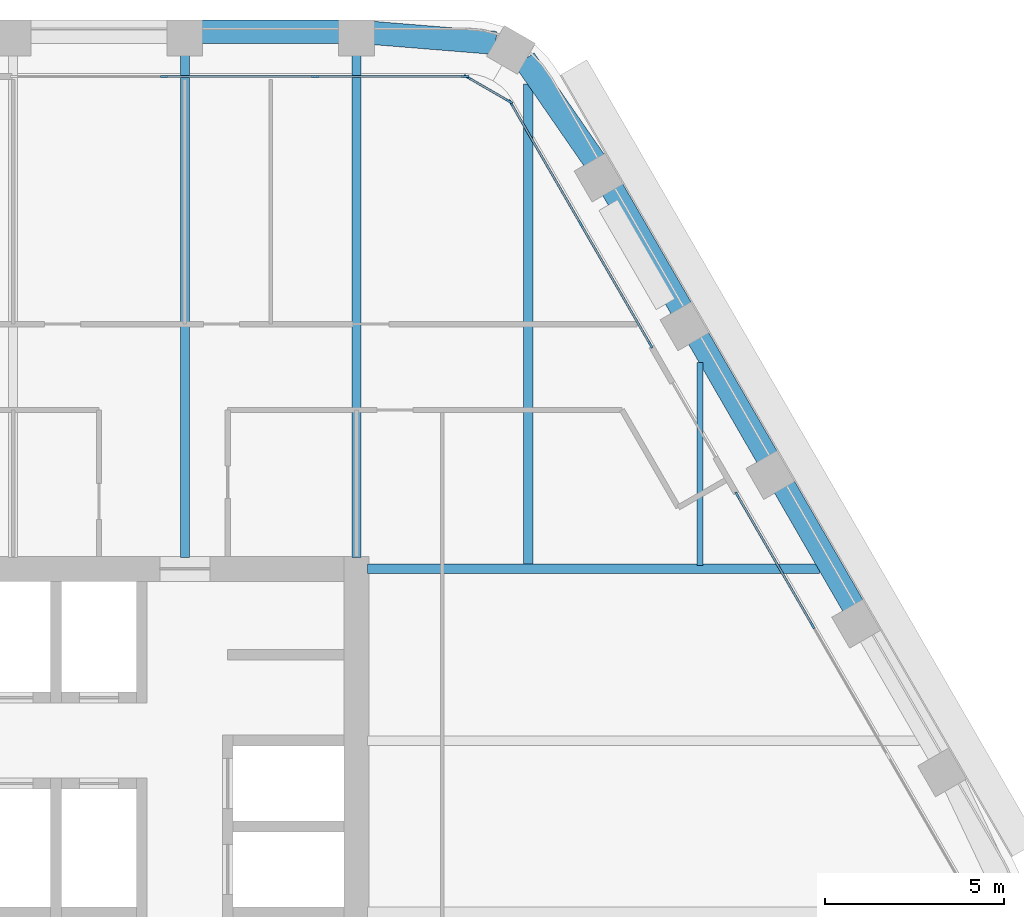
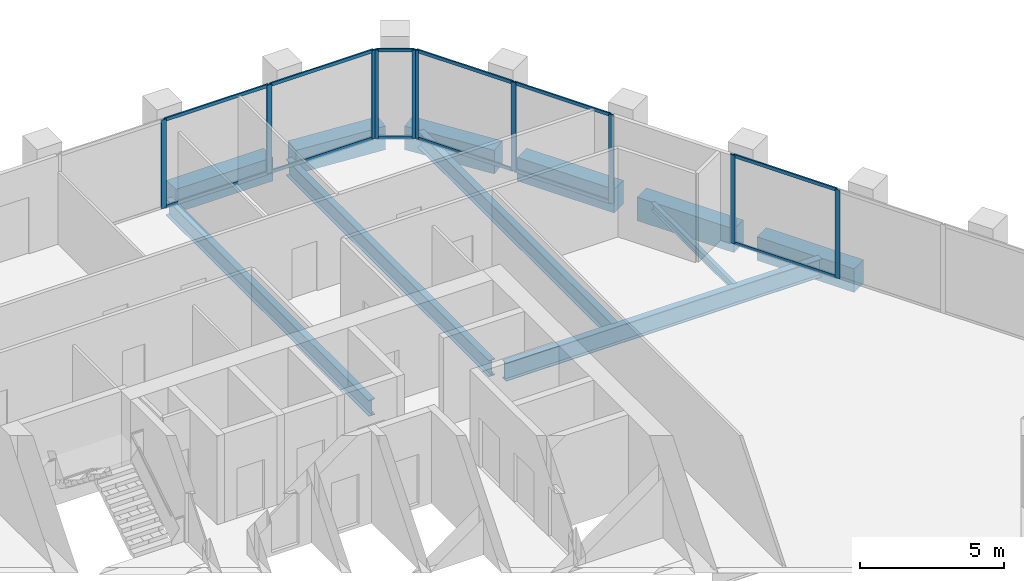
# One storey, part 6 of 15: 22 members, 11 beams, 4 elements without a shape of their own.
"""IFC4 building model written with IfcOpenShell, lengths in metres."""

from ifc_helpers import new_model, si_unit, direction, frame, origin, origin_2d, place, context, subcontext, project, spatial, rectangle, i_section, extrude, material, material_profile, profile_set, type_object, element, aggregate, save


model = new_model("IFC4")

# Units and contexts
model_context = context("Model", 3, precision=1e-05, world=origin(), true_north=direction((0.0, 1.0)))
body_context = subcontext(model_context, "Body", "Model", "MODEL_VIEW")
ifc_project = project(units=[si_unit("LENGTHUNIT", "METRE"), si_unit("AREAUNIT", "SQUARE_METRE"), si_unit("VOLUMEUNIT", "CUBIC_METRE"), si_unit("PLANEANGLEUNIT", "RADIAN"), si_unit("MASSUNIT", "GRAM", prefix="KILO")], contexts=[model_context])

# Site, building, storey
site_placement = place(None, origin())
site = spatial("IfcSite", under=ifc_project, at=site_placement, CompositionType="ELEMENT")
building_placement = place(site_placement, origin())
building = spatial("IfcBuilding", under=site, at=building_placement, Name="Kolab Exchange Tower", CompositionType="ELEMENT")
storey_placement = place(building_placement, frame((0.0, 0.0, 158.300048828125)))
storey = spatial("IfcBuildingStorey", under=building, at=storey_placement, Name="L32", CompositionType="ELEMENT", Elevation=158.300048828125)

# Beams
ifc_material_1 = material(Name="Steel S355", Category="steel")
ifc_material_profile_1 = material_profile(ifc_material_1, i_section(OverallWidth=0.1650390625, OverallDepth=0.31005859375, WebThickness=0.005859375, FlangeThickness=0.009765625, at=origin_2d()), Name="W310X39")
ifc_profile_set_1 = profile_set([ifc_material_profile_1], Name="Steel S355")
beam_type_1 = type_object("IfcBeamType", Name="FLOOR BEAM W310X39", PredefinedType="BEAM", material=ifc_profile_set_1)
beam_1_placement = place(storey_placement, frame((19.199951171875, 9.693603515625, -0.304931640625), z_axis=(0.0, 1.0, 0.0), x_axis=(-1.0, 0.0, 0.0)))
element("IfcBeam", 1, at=beam_1_placement, inside=storey, type_object=beam_type_1, Name="beam/L32/fr/023", PredefinedType="BEAM", context=body_context, shape_type="SweptSolid", body=[
    extrude(i_section(OverallWidth=0.1650390625, OverallDepth=0.31005859375, WebThickness=0.005859375, FlangeThickness=0.009765625, at=origin_2d()), origin(), (0.0, 0.0, 1.0), 5.674072265625),
])
ifc_material_profile_2 = material_profile(ifc_material_1, i_section(OverallWidth=0.25390625, OverallDepth=0.68408203125, WebThickness=0.012451171875, FlangeThickness=0.018798828125, at=origin_2d()), Name="W690X140")
ifc_profile_set_2 = profile_set([ifc_material_profile_2], Name="Steel S355")
beam_type_2 = type_object("IfcBeamType", Name="FLOOR BEAM W690X140", PredefinedType="BEAM", material=ifc_profile_set_2)
for number, where, z_axis, x_axis, name in (
    (2, (4.800048828125, 9.909912109375, -0.491943359375), (0.0, 1.0, 0.0), (-1.0, 0.0, 0.0), "beam/L32/fr/014"),
    (3, (9.60009765625, 9.909912109375, -0.491943359375), (0.0, 1.0, 0.0), (-1.0, 0.0, 0.0), "beam/L32/fr/016"),
):
    element("IfcBeam", number, at=place(storey_placement, frame(where, z_axis=z_axis, x_axis=x_axis)), inside=storey, type_object=beam_type_2, Name=name, PredefinedType="BEAM", context=body_context, shape_type="SweptSolid", body=[
        extrude(i_section(OverallWidth=0.25390625, OverallDepth=0.68408203125, WebThickness=0.012451171875, FlangeThickness=0.018798828125, at=origin_2d()), origin(), (0.0, 0.0, 1.0), 14.071533203125),
    ])
beam_2_placement = place(storey_placement, frame((14.39990234375, 9.693603515625, -0.491943359375), z_axis=(0.0, 1.0, 0.0), x_axis=(-1.0, 0.0, 0.0)))
element("IfcBeam", 4, at=beam_2_placement, inside=storey, type_object=beam_type_2, Name="beam/L32/fr/021", PredefinedType="BEAM", context=body_context, shape_type="SweptSolid", body=[
    extrude(i_section(OverallWidth=0.25390625, OverallDepth=0.68408203125, WebThickness=0.012451171875, FlangeThickness=0.018798828125, at=origin_2d()), origin(), (0.0, 0.0, 1.0), 13.462158203125),
])
ifc_material_profile_3 = material_profile(ifc_material_1, i_section(OverallWidth=0.26708984375, OverallDepth=0.761962890625, WebThickness=0.014404296875, FlangeThickness=0.021484375, at=origin_2d()), Name="W760X173")
ifc_profile_set_3 = profile_set([ifc_material_profile_3], Name="Steel S355")
beam_type_3 = type_object("IfcBeamType", Name="FLOOR GIRDER W760X173", PredefinedType="BEAM", material=ifc_profile_set_3)
beam_3_placement = place(storey_placement, frame((9.909912109375, 9.60009765625, -0.531005859375), z_axis=(1.0, 0.0, 0.0), x_axis=(0.0, 1.0, 0.0)))
element("IfcBeam", 5, at=beam_3_placement, inside=storey, type_object=beam_type_3, Name="beam/L32/gd/003", PredefinedType="BEAM", context=body_context, shape_type="SweptSolid", body=[
    extrude(i_section(OverallWidth=0.26708984375, OverallDepth=0.761962890625, WebThickness=0.014404296875, FlangeThickness=0.021484375, at=origin_2d()), origin(), (0.0, 0.0, 1.0), 12.636962890625),
])
ifc_material_2 = material(Name="Concrete C60/75", Category="concrete")
ifc_material_profile_4 = material_profile(ifc_material_2, rectangle(XDim=0.64990234375, YDim=1.0, at=origin_2d()), Name="RC650X1000")
ifc_profile_set_4 = profile_set([ifc_material_profile_4], Name="Concrete C60/75")
beam_type_4 = type_object("IfcBeamType", Name="SPANDREL BEAM 650X1000 C60/75", PredefinedType="BEAM", material=ifc_profile_set_4)
beam_4_placement = place(storey_placement, frame((5.260009765625, 24.616455078125, -0.650146484375), z_axis=(1.0, 0.0, 0.0), x_axis=(0.0, 1.0, 0.0)))
element("IfcBeam", 6, at=beam_4_placement, inside=storey, type_object=beam_type_4, Name="beam/L32/sp/F1-05", PredefinedType="BEAM", context=body_context, shape_type="SweptSolid", body=[
    extrude(rectangle(XDim=0.64990234375, YDim=1.0, at=origin_2d()), origin(), (0.0, 0.0, 1.0), 3.8798828125),
])
for number, where, z_axis, x_axis, name in (
    (7, (10.06005859375, 24.5791015625, -0.650146484375), (0.996708497182, -0.081068931445, 0.0), (0.081068931445, 0.996708497182, 0.0), "beam/L32/sp/F1-06"),
    (8, (14.29736328125, 23.8359375, -0.650146484375), (0.568572281073, -0.822633309073, 0.0), (0.822633309073, 0.568572281073, 0.0), "beam/L32/sp/F2-01"),
):
    element("IfcBeam", number, at=place(storey_placement, frame(where, z_axis=z_axis, x_axis=x_axis)), inside=storey, type_object=beam_type_4, Name=name, PredefinedType="BEAM", context=body_context, shape_type="SweptSolid", body=[
        extrude(rectangle(XDim=0.64990234375, YDim=1.0, at=origin_2d()), origin(), (0.0, 0.0, 1.0), 3.445068359375),
    ])
beam_5_placement = place(storey_placement, frame((16.74853515625, 20.2236328125, -0.650146484375), z_axis=(0.499996613652, -0.866027358884, 0.0), x_axis=(0.866027358884, 0.499996613652, 0.0)))
element("IfcBeam", 9, at=beam_5_placement, inside=storey, type_object=beam_type_4, Name="beam/L32/sp/F2-02", PredefinedType="BEAM", context=body_context, shape_type="SweptSolid", body=[
    extrude(rectangle(XDim=0.64990234375, YDim=1.0, at=origin_2d()), origin(), (0.0, 0.0, 1.0), 3.8798828125),
])
beam_6_placement = place(storey_placement, frame((19.1484375, 16.06689453125, -0.650146484375), z_axis=(0.50001655835, -0.866015843605, 0.0), x_axis=(0.866015843605, 0.50001655835, 0.0)))
element("IfcBeam", 10, at=beam_6_placement, inside=storey, type_object=beam_type_4, Name="beam/L32/sp/F2-03", PredefinedType="BEAM", context=body_context, shape_type="SweptSolid", body=[
    extrude(rectangle(XDim=0.64990234375, YDim=1.0, at=origin_2d()), origin(), (0.0, 0.0, 1.0), 3.880126953125),
])
beam_7_placement = place(storey_placement, frame((21.548583984375, 11.909912109375, -0.650146484375), z_axis=(0.499996613652, -0.866027358884, 0.0), x_axis=(0.866027358884, 0.499996613652, 0.0)))
element("IfcBeam", 11, at=beam_7_placement, inside=storey, type_object=beam_type_4, Name="beam/L32/sp/F2-04", PredefinedType="BEAM", context=body_context, shape_type="SweptSolid", body=[
    extrude(rectangle(XDim=0.64990234375, YDim=1.0, at=origin_2d()), origin(), (0.0, 0.0, 1.0), 3.8798828125),
])

# Curtain wall, members
ifc_material_3 = material(Name="Aluminium EN AW-6063 T6", Category="aluminium")
curtain_wall_type = type_object("IfcCurtainWallType", Name="UNITISED UPPER MID ZONE CURTAIN WALL", PredefinedType="NOTDEFINED", material=ifc_material_3)
curtain_wall_1_placement = place(storey_placement, origin())
curtain_wall_1 = element("IfcCurtainWall", 12, at=curtain_wall_1_placement, inside=storey, type_object=curtain_wall_type, Name="cw/L32/F1-2", PredefinedType="NOTDEFINED")
ifc_material_profile_5 = material_profile(ifc_material_3, rectangle(XDim=0.06005859375, YDim=0.199951171875, at=origin_2d()), Name="RECT 60X200")
ifc_profile_set_5 = profile_set([ifc_material_profile_5], Name="Aluminium EN AW-6063 T6")
member_type_1 = type_object("IfcMemberType", Name="UNITISED UPPER MID ZONE MULLION 60 X 200", PredefinedType="MULLION", material=ifc_profile_set_5)
member_1_placement = place(storey_placement, frame((4.22265625, 23.361572265625, 0.0), z_axis=(0.0, 0.0, 1.0), x_axis=(0.0, 1.0, 0.0)))
member_1 = element("IfcMember", 13, at=member_1_placement, type_object=member_type_1, Name="CW3 mullion 2", PredefinedType="MULLION", context=body_context, shape_type="SweptSolid", body=[
    extrude(rectangle(XDim=0.06005859375, YDim=0.199951171875, at=origin_2d()), origin(), (0.0, 0.0, 1.0), 3.75),
])
member_2_placement = place(storey_placement, frame((8.4453125, 23.361572265625, 0.0), z_axis=(0.0, 0.0, 1.0), x_axis=(0.0, 1.0, 0.0)))
member_2 = element("IfcMember", 14, at=member_2_placement, type_object=member_type_1, Name="CW3 mullion 3", PredefinedType="MULLION", context=body_context, shape_type="SweptSolid", body=[
    extrude(rectangle(XDim=0.06005859375, YDim=0.199951171875, at=origin_2d()), origin(), (0.0, 0.0, 1.0), 3.75),
])
member_3_placement = place(storey_placement, frame((12.637939453125, 23.361572265625, 0.0), z_axis=(0.0, 0.0, 1.0), x_axis=(0.0, 1.0, 0.0)))
member_3 = element("IfcMember", 15, at=member_3_placement, type_object=member_type_1, Name="CW3 mullion 4", PredefinedType="MULLION", context=body_context, shape_type="SweptSolid", body=[
    extrude(rectangle(XDim=0.06005859375, YDim=0.199951171875, at=origin_2d()), origin(), (0.0, 0.0, 1.0), 3.75),
])

curtain_wall_2_placement = place(storey_placement, origin())
curtain_wall_2 = element("IfcCurtainWall", 16, at=curtain_wall_2_placement, inside=storey, type_object=curtain_wall_type, Name="cw/L32/F2-1", PredefinedType="NOTDEFINED")
member_4_placement = place(storey_placement, frame((13.91259765625, 22.62548828125, 0.0), z_axis=(0.0, 0.0, 1.0), x_axis=(0.866025385493, 0.500000031681, 0.0)))
member_4 = element("IfcMember", 17, at=member_4_placement, type_object=member_type_1, Name="CW3 mullion 1", PredefinedType="MULLION", context=body_context, shape_type="SweptSolid", body=[
    extrude(rectangle(XDim=0.06005859375, YDim=0.199951171875, at=origin_2d()), origin(), (0.0, 0.0, 1.0), 3.75),
])
member_5_placement = place(storey_placement, frame((15.86474609375, 19.24462890625, 0.0), z_axis=(0.0, 0.0, 1.0), x_axis=(0.866025385493, 0.500000031681, 0.0)))
member_5 = element("IfcMember", 18, at=member_5_placement, type_object=member_type_1, Name="CW3 mullion 2", PredefinedType="MULLION", context=body_context, shape_type="SweptSolid", body=[
    extrude(rectangle(XDim=0.06005859375, YDim=0.199951171875, at=origin_2d()), origin(), (0.0, 0.0, 1.0), 3.75),
])
member_6_placement = place(storey_placement, frame((17.816650390625, 15.86376953125, 0.0), z_axis=(0.0, 0.0, 1.0), x_axis=(0.866025385493, 0.500000031681, 0.0)))
member_6 = element("IfcMember", 19, at=member_6_placement, type_object=member_type_1, Name="CW3 mullion 3", PredefinedType="MULLION", context=body_context, shape_type="SweptSolid", body=[
    extrude(rectangle(XDim=0.06005859375, YDim=0.199951171875, at=origin_2d()), origin(), (0.0, 0.0, 1.0), 3.75),
])

curtain_wall_3_placement = place(storey_placement, origin())
curtain_wall_3 = element("IfcCurtainWall", 20, at=curtain_wall_3_placement, inside=storey, type_object=curtain_wall_type, Name="cw/L32/F2-2", PredefinedType="NOTDEFINED")
member_7_placement = place(storey_placement, frame((20.24658203125, 11.65478515625, 0.0), z_axis=(0.0, 0.0, 1.0), x_axis=(0.866025427826, 0.499999958358, 0.0)))
member_7 = element("IfcMember", 21, at=member_7_placement, type_object=member_type_1, Name="CW3 mullion 1", PredefinedType="MULLION", context=body_context, shape_type="SweptSolid", body=[
    extrude(rectangle(XDim=0.06005859375, YDim=0.199951171875, at=origin_2d()), origin(), (0.0, 0.0, 1.0), 3.75),
])
member_8_placement = place(storey_placement, frame((22.343017578125, 8.02392578125, 0.0), z_axis=(0.0, 0.0, 1.0), x_axis=(0.866025427826, 0.499999958358, 0.0)))
member_8 = element("IfcMember", 22, at=member_8_placement, type_object=member_type_1, Name="CW3 mullion 2", PredefinedType="MULLION", context=body_context, shape_type="SweptSolid", body=[
    extrude(rectangle(XDim=0.06005859375, YDim=0.199951171875, at=origin_2d()), origin(), (0.0, 0.0, 1.0), 3.75),
])

curtain_wall_4_placement = place(storey_placement, origin())
curtain_wall_4 = element("IfcCurtainWall", 23, at=curtain_wall_4_placement, inside=storey, type_object=curtain_wall_type, Name="cw/L32/F1F2-corner", PredefinedType="NOTDEFINED")
member_9_placement = place(storey_placement, frame((12.69384765625, 23.346435546875, 0.0), z_axis=(0.0, 0.0, 1.0), x_axis=(0.50000002237, 0.866025390869, 0.0)))
member_9 = element("IfcMember", 24, at=member_9_placement, type_object=member_type_1, Name="CW3 mullion 1", PredefinedType="MULLION", context=body_context, shape_type="SweptSolid", body=[
    extrude(rectangle(XDim=0.06005859375, YDim=0.199951171875, at=origin_2d()), origin(), (0.0, 0.0, 1.0), 3.75),
])
member_10_placement = place(storey_placement, frame((13.871826171875, 22.66650390625, 0.0), z_axis=(0.0, 0.0, 1.0), x_axis=(0.50000002237, 0.866025390869, 0.0)))
member_10 = element("IfcMember", 25, at=member_10_placement, type_object=member_type_1, Name="CW3 mullion 2", PredefinedType="MULLION", context=body_context, shape_type="SweptSolid", body=[
    extrude(rectangle(XDim=0.06005859375, YDim=0.199951171875, at=origin_2d()), origin(), (0.0, 0.0, 1.0), 3.75),
])

# Member
ifc_material_profile_6 = material_profile(ifc_material_3, rectangle(XDim=0.06005859375, YDim=0.139892578125, at=origin_2d()), Name="RECT 60X140")
ifc_profile_set_6 = profile_set([ifc_material_profile_6], Name="Aluminium EN AW-6063 T6")
member_type_2 = type_object("IfcMemberType", Name="UNITISED UPPER MID ZONE TRANSOM 60 X 140", PredefinedType="USERDEFINED", material=ifc_profile_set_6)
member_11_placement = place(storey_placement, frame((4.252685546875, 23.361572265625, 0.030029296875), z_axis=(1.0, 0.0, 0.0), x_axis=(0.0, 1.0, 0.0)))
member_11 = element("IfcMember", 26, at=member_11_placement, type_object=member_type_2, Name="CW3 transom 2.1", ObjectType="TRANSOM", PredefinedType="USERDEFINED", context=body_context, shape_type="SweptSolid", body=[
    extrude(rectangle(XDim=0.06005859375, YDim=0.139892578125, at=origin_2d()), origin(), (0.0, 0.0, 1.0), 4.16259765625),
])

member_12_placement = place(storey_placement, frame((4.252685546875, 23.361572265625, 3.719970703125), z_axis=(1.0, 0.0, 0.0), x_axis=(0.0, 1.0, 0.0)))
member_12 = element("IfcMember", 27, at=member_12_placement, type_object=member_type_2, Name="CW3 transom 2.2", ObjectType="TRANSOM", PredefinedType="USERDEFINED", context=body_context, shape_type="SweptSolid", body=[
    extrude(rectangle(XDim=0.06005859375, YDim=0.139892578125, at=origin_2d()), origin(), (0.0, 0.0, 1.0), 4.16259765625),
])

member_13_placement = place(storey_placement, frame((8.475341796875, 23.361572265625, 0.030029296875), z_axis=(1.0, 0.0, 0.0), x_axis=(0.0, 1.0, 0.0)))
member_13 = element("IfcMember", 28, at=member_13_placement, type_object=member_type_2, Name="CW3 transom 3.1", ObjectType="TRANSOM", PredefinedType="USERDEFINED", context=body_context, shape_type="SweptSolid", body=[
    extrude(rectangle(XDim=0.06005859375, YDim=0.139892578125, at=origin_2d()), origin(), (0.0, 0.0, 1.0), 4.132568359375),
])

member_14_placement = place(storey_placement, frame((8.475341796875, 23.361572265625, 3.719970703125), z_axis=(1.0, 0.0, 0.0), x_axis=(0.0, 1.0, 0.0)))
member_14 = element("IfcMember", 29, at=member_14_placement, type_object=member_type_2, Name="CW3 transom 3.2", ObjectType="TRANSOM", PredefinedType="USERDEFINED", context=body_context, shape_type="SweptSolid", body=[
    extrude(rectangle(XDim=0.06005859375, YDim=0.139892578125, at=origin_2d()), origin(), (0.0, 0.0, 1.0), 4.132568359375),
])

aggregate(curtain_wall_1, [member_1, member_2, member_3, member_11, member_12, member_13, member_14])

member_15_placement = place(storey_placement, frame((13.927734375, 22.599609375, 0.030029296875), z_axis=(0.499964356602, -0.866045981532, 0.0), x_axis=(0.866045981532, 0.499964356602, 0.0)))
member_15 = element("IfcMember", 30, at=member_15_placement, type_object=member_type_2, Name="CW3 transom 1.1", ObjectType="TRANSOM", PredefinedType="USERDEFINED", context=body_context, shape_type="SweptSolid", body=[
    extrude(rectangle(XDim=0.06005859375, YDim=0.139892578125, at=origin_2d()), origin(), (0.0, 0.0, 1.0), 3.843994140625),
])

member_16_placement = place(storey_placement, frame((13.927734375, 22.599609375, 3.719970703125), z_axis=(0.499964356602, -0.866045981532, 0.0), x_axis=(0.866045981532, 0.499964356602, 0.0)))
member_16 = element("IfcMember", 31, at=member_16_placement, type_object=member_type_2, Name="CW3 transom 1.2", ObjectType="TRANSOM", PredefinedType="USERDEFINED", context=body_context, shape_type="SweptSolid", body=[
    extrude(rectangle(XDim=0.06005859375, YDim=0.139892578125, at=origin_2d()), origin(), (0.0, 0.0, 1.0), 3.843994140625),
])

member_17_placement = place(storey_placement, frame((15.879638671875, 19.21875, 0.030029296875), z_axis=(0.500011990396, -0.866018481016, 0.0), x_axis=(0.866018481016, 0.500011990396, 0.0)))
member_17 = element("IfcMember", 32, at=member_17_placement, type_object=member_type_2, Name="CW3 transom 2.1", ObjectType="TRANSOM", PredefinedType="USERDEFINED", context=body_context, shape_type="SweptSolid", body=[
    extrude(rectangle(XDim=0.06005859375, YDim=0.139892578125, at=origin_2d()), origin(), (0.0, 0.0, 1.0), 3.84423828125),
])

member_18_placement = place(storey_placement, frame((15.879638671875, 19.21875, 3.719970703125), z_axis=(0.500011990396, -0.866018481016, 0.0), x_axis=(0.866018481016, 0.500011990396, 0.0)))
member_18 = element("IfcMember", 33, at=member_18_placement, type_object=member_type_2, Name="CW3 transom 2.2", ObjectType="TRANSOM", PredefinedType="USERDEFINED", context=body_context, shape_type="SweptSolid", body=[
    extrude(rectangle(XDim=0.06005859375, YDim=0.139892578125, at=origin_2d()), origin(), (0.0, 0.0, 1.0), 3.84423828125),
])

aggregate(curtain_wall_2, [member_4, member_5, member_6, member_15, member_16, member_17, member_18])

member_19_placement = place(storey_placement, frame((20.26171875, 11.62890625, 0.030029296875), z_axis=(0.500001996123, -0.866024251319, 0.0), x_axis=(0.866024251319, 0.500001996123, 0.0)))
member_19 = element("IfcMember", 34, at=member_19_placement, type_object=member_type_2, Name="CW3 transom 1.1", ObjectType="TRANSOM", PredefinedType="USERDEFINED", context=body_context, shape_type="SweptSolid", body=[
    extrude(rectangle(XDim=0.06005859375, YDim=0.139892578125, at=origin_2d()), origin(), (0.0, 0.0, 1.0), 4.1328125),
])

member_20_placement = place(storey_placement, frame((20.26171875, 11.62890625, 3.719970703125), z_axis=(0.500001996123, -0.866024251319, 0.0), x_axis=(0.866024251319, 0.500001996123, 0.0)))
member_20 = element("IfcMember", 35, at=member_20_placement, type_object=member_type_2, Name="CW3 transom 1.2", ObjectType="TRANSOM", PredefinedType="USERDEFINED", context=body_context, shape_type="SweptSolid", body=[
    extrude(rectangle(XDim=0.06005859375, YDim=0.139892578125, at=origin_2d()), origin(), (0.0, 0.0, 1.0), 4.1328125),
])

aggregate(curtain_wall_3, [member_7, member_8, member_19, member_20])

member_21_placement = place(storey_placement, frame((12.719970703125, 23.33154296875, 0.030029296875), z_axis=(0.86603858612, -0.49997716683, 0.0), x_axis=(0.49997716683, 0.86603858612, 0.0)))
member_21 = element("IfcMember", 36, at=member_21_placement, type_object=member_type_2, Name="CW3 transom 1.1", ObjectType="TRANSOM", PredefinedType="USERDEFINED", context=body_context, shape_type="SweptSolid", body=[
    extrude(rectangle(XDim=0.06005859375, YDim=0.139892578125, at=origin_2d()), origin(), (0.0, 0.0, 1.0), 1.2998046875),
])

member_22_placement = place(storey_placement, frame((12.719970703125, 23.33154296875, 3.719970703125), z_axis=(0.86603858612, -0.49997716683, 0.0), x_axis=(0.49997716683, 0.86603858612, 0.0)))
member_22 = element("IfcMember", 37, at=member_22_placement, type_object=member_type_2, Name="CW3 transom 1.2", ObjectType="TRANSOM", PredefinedType="USERDEFINED", context=body_context, shape_type="SweptSolid", body=[
    extrude(rectangle(XDim=0.06005859375, YDim=0.139892578125, at=origin_2d()), origin(), (0.0, 0.0, 1.0), 1.2998046875),
])

aggregate(curtain_wall_4, [member_9, member_10, member_21, member_22])

save(model, "model.ifc")
